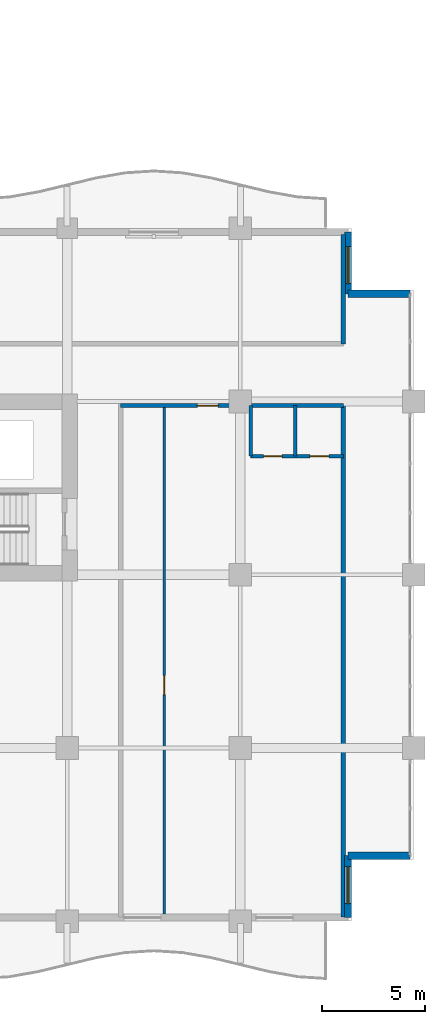
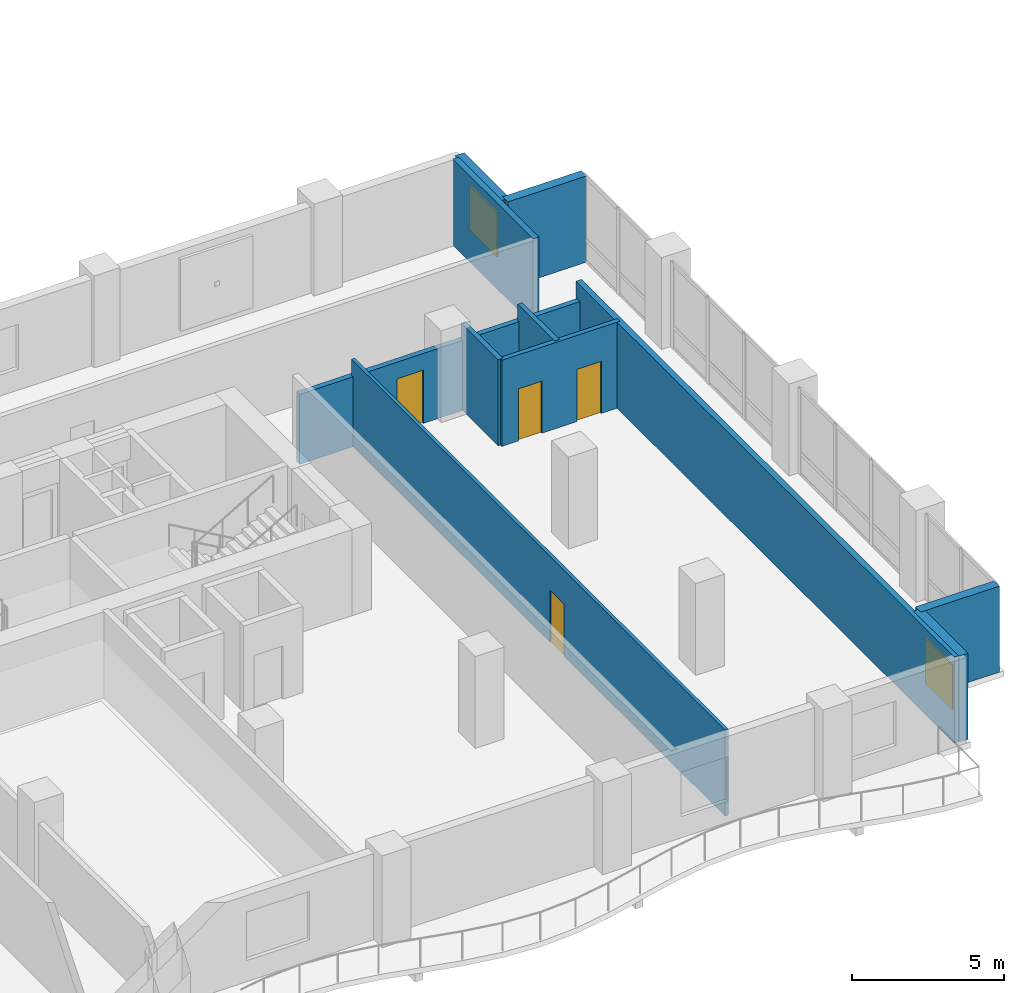
# One storey, part 15 of 22: 11 walls, 4 doors, 2 windows, 6 openings.
"""IFC4 building model written with IfcOpenShell, lengths in metres."""

from ifc_helpers import new_model, si_unit, direction, frame, frame_2d, origin, place, context, subcontext, project, spatial, rectangle, extrude, material, layer, layer_set, type_object, element, fill, save


model = new_model("IFC4")

# Units and contexts
model_context = context("Model", 3, precision=1e-05, world=origin(), true_north=direction((0.0, 1.0)))
body_context = subcontext(model_context, "Body", "Model", "MODEL_VIEW")
ifc_project = project(units=[si_unit("LENGTHUNIT", "METRE"), si_unit("AREAUNIT", "SQUARE_METRE"), si_unit("VOLUMEUNIT", "CUBIC_METRE"), si_unit("PLANEANGLEUNIT", "RADIAN"), si_unit("MASSUNIT", "GRAM", prefix="KILO")], contexts=[model_context])

# Site, building, storey
site_placement = place(None, origin())
site = spatial("IfcSite", under=ifc_project, at=site_placement, CompositionType="ELEMENT")
building_placement = place(site_placement, origin())
building = spatial("IfcBuilding", under=site, at=building_placement, Name="Koriwani Terraces Tower", CompositionType="ELEMENT")
storey_placement = place(building_placement, frame((0.0, 0.0, 182.800048828125)))
storey = spatial("IfcBuildingStorey", under=building, at=storey_placement, Name="L44", CompositionType="ELEMENT", Elevation=182.800048828125)

# Wall, opening, door
ifc_material_1 = material(Name="Autoclaved Cellular Concrete Blockwork", Category="masonry")
ifc_layer_1 = layer(ifc_material_1, 0.199951171875, Name="Autoclaved Cellular Concrete Blockwork")
ifc_layer_set_1 = layer_set([ifc_layer_1], Name="Autoclaved Cellular Concrete Blockwork")
wall_type_1 = type_object("IfcWallType", Name="WALL_CORRIDOR_200", PredefinedType="PARTITIONING", material=ifc_layer_set_1)
wall_1_placement = place(storey_placement, frame((61.39990234375, 25.0, 0.0), z_axis=(0.0, 0.0, 1.0), x_axis=(1.0, 0.0, 0.0)))
wall_1 = element("IfcWall", 1, at=wall_1_placement, inside=storey, type_object=wall_type_1, Name="L44 Interior Wall WRCOR-L44-SE-0", PredefinedType="PARTITIONING", context=body_context, shape_type="SweptSolid", body=[
    extrude(rectangle(XDim=10.800048828125, YDim=0.199951171875, at=frame_2d((5.39990234375, 0.0))), origin(), (0.0, 0.0, 1.0), 2.820068359375),
])
opening_1_placement = place(wall_1_placement, frame((3.719970703125, 0.0, 0.0)))
opening_1 = element("IfcOpeningElement", 2, at=opening_1_placement, cuts=wall_1, Name="Opening D-05", PredefinedType="OPENING", context=body_context, shape_type="SweptSolid", body=[
    extrude(rectangle(XDim=1.0, YDim=2.14990234375, at=frame_2d((0.5, 1.074951171875))), frame((0.0, 0.10986328125, 0.0), z_axis=(0.0, -1.0, 0.0), x_axis=(1.0, 0.0, 0.0)), (0.0, 0.0, 1.0), 0.219970703125),
])
ifc_material_2 = material(Name="Architectural Oak Fire Door", Category="wood")
door_type_1 = type_object("IfcDoorType", Name="DOOR_SUITE_ENTRY_1000X2150", OperationType="NOTDEFINED", PredefinedType="DOOR", material=ifc_material_2)
door_1_placement = place(opening_1_placement, origin())
door_1 = element("IfcDoor", 3, at=door_1_placement, inside=storey, type_object=door_type_1, Name="Apartment 44SE1 Entrance Door", OperationType="SINGLE_SWING_LEFT", OverallHeight=2.14990234375, OverallWidth=1.0, PredefinedType="DOOR", context=body_context, shape_type="SweptSolid", body=[
    extrude(rectangle(XDim=1.0, YDim=2.14990234375, at=frame_2d((0.5, 1.074951171875))), frame((0.0, 0.02490234375, 0.0), z_axis=(0.0, -1.0, 0.0), x_axis=(1.0, 0.0, 0.0)), (0.0, 0.0, 1.0), 0.050048828125),
])
fill(opening_1, door_1)

# Walls
ifc_layer_2 = layer(ifc_material_1, 0.219970703125, Name="Autoclaved Cellular Concrete Blockwork")
ifc_layer_set_2 = layer_set([ifc_layer_2], Name="Autoclaved Cellular Concrete Blockwork")
wall_type_2 = type_object("IfcWallType", Name="WALL_DEMISING_220", PredefinedType="PARTITIONING", material=ifc_layer_set_2)
wall_2_placement = place(storey_placement, frame((72.199951171875, 0.199951171875, 0.0), z_axis=(0.0, 0.0, 1.0), x_axis=(0.0, 1.0, 0.0)))
element("IfcWall", 4, at=wall_2_placement, inside=storey, type_object=wall_type_2, Name="L44 Interior Wall WRDEME-L44-SE", PredefinedType="PARTITIONING", context=body_context, shape_type="SweptSolid", body=[
    extrude(rectangle(XDim=24.97998046875, YDim=0.219970703125, at=frame_2d((12.489990234375, 0.0))), origin(), (0.0, 0.0, 1.0), 3.469970703125),
])
wall_3_placement = place(storey_placement, frame((72.199951171875, 28.0, 0.0), z_axis=(0.0, 0.0, 1.0), x_axis=(0.0, 1.0, 0.0)))
element("IfcWall", 5, at=wall_3_placement, inside=storey, type_object=wall_type_2, Name="L44 Interior Wall WSEC-E-L44", PredefinedType="PARTITIONING", context=body_context, shape_type="SweptSolid", body=[
    extrude(rectangle(XDim=5.300048828125, YDim=0.219970703125, at=frame_2d((2.64990234375, 0.0))), origin(), (0.0, 0.0, 1.0), 3.469970703125),
])

# Wall, opening, window
ifc_material_3 = material(Name="Concrete C50/60", Category="concrete")
ifc_layer_3 = layer(ifc_material_3, 0.35009765625, Name="Concrete C50/60")
ifc_layer_set_3 = layer_set([ifc_layer_3], Name="Concrete C50/60")
wall_type_3 = type_object("IfcWallType", Name="WALL_EXT_BRUTALIST_350", PredefinedType="STANDARD", material=ifc_layer_set_3)
wall_4_placement = place(storey_placement, frame((72.425048828125, 33.425048828125, 0.0), z_axis=(0.0, 0.0, 1.0), x_axis=(0.0, -1.0, 0.0)))
wall_4 = element("IfcWall", 6, at=wall_4_placement, inside=storey, type_object=wall_type_3, Name="L44 Fair-Faced Brutalist Exterior Wall (N10)", PredefinedType="STANDARD", context=body_context, shape_type="SweptSolid", body=[
    extrude(rectangle(XDim=3.0, YDim=0.35009765625, at=frame_2d((1.5, 0.0))), origin(), (0.0, 0.0, 1.0), 3.469970703125),
])
opening_2_placement = place(wall_4_placement, frame((0.71240234375, 0.0, 0.85009765625)))
opening_2 = element("IfcOpeningElement", 7, at=opening_2_placement, cuts=wall_4, Name="Opening W-04", PredefinedType="OPENING", context=body_context, shape_type="SweptSolid", body=[
    extrude(rectangle(XDim=1.800048828125, YDim=1.800048828125, at=frame_2d((0.89990234375, 0.89990234375))), frame((0.0, 0.18505859375, 0.0), z_axis=(0.0, -1.0, 0.0), x_axis=(1.0, 0.0, 0.0)), (0.0, 0.0, 1.0), 0.3701171875),
])
ifc_material_4 = material(Name="Tempered Laminated Low-E Glass", Category="glass")
window_type = type_object("IfcWindowType", Name="WIN_RES_BED_1800X1800", PartitioningType="DOUBLE_PANEL_VERTICAL", PredefinedType="WINDOW", material=ifc_material_4)
window_1_placement = place(opening_2_placement, origin())
window_1 = element("IfcWindow", 8, at=window_1_placement, inside=storey, type_object=window_type, Name="L44 Exterior Window (N10-R63)", OverallHeight=1.800048828125, OverallWidth=1.800048828125, PartitioningType="SINGLE_PANEL", PredefinedType="WINDOW", context=body_context, shape_type="SweptSolid", body=[
    extrude(rectangle(XDim=1.800048828125, YDim=1.800048828125, at=frame_2d((0.89990234375, 0.89990234375))), frame((0.0, 0.030029296875, 0.0), z_axis=(0.0, -1.0, 0.0), x_axis=(1.0, 0.0, 0.0)), (0.0, 0.0, 1.0), 0.06005859375),
])
fill(opening_2, window_1)

# Walls
for number, where, z_axis, x_axis, name in (
    (9, (72.425048828125, 30.425048828125, 0.0), (0.0, 0.0, 1.0), (1.0, 0.0, 0.0), "L44 Fair-Faced Brutalist Exterior Wall (N11)"),
    (10, (75.425048828125, 3.175048828125, 0.0), (0.0, 0.0, 1.0), (-1.0, 0.0, 0.0), "L44 Fair-Faced Brutalist Exterior Wall (N13)"),
):
    element("IfcWall", number, at=place(storey_placement, frame(where, z_axis=z_axis, x_axis=x_axis)), inside=storey, type_object=wall_type_3, Name=name, PredefinedType="STANDARD", context=body_context, shape_type="SweptSolid", body=[
        extrude(rectangle(XDim=3.0, YDim=0.35009765625, at=frame_2d((1.5, 0.0))), origin(), (0.0, 0.0, 1.0), 3.469970703125),
    ])

# Wall, opening, window
wall_5_placement = place(storey_placement, frame((72.425048828125, 3.175048828125, 0.0), z_axis=(0.0, 0.0, 1.0), x_axis=(0.0, -1.0, 0.0)))
wall_5 = element("IfcWall", 11, at=wall_5_placement, inside=storey, type_object=wall_type_3, Name="L44 Fair-Faced Brutalist Exterior Wall (N14)", PredefinedType="STANDARD", context=body_context, shape_type="SweptSolid", body=[
    extrude(rectangle(XDim=3.0, YDim=0.35009765625, at=frame_2d((1.5, 0.0))), origin(), (0.0, 0.0, 1.0), 3.469970703125),
])
opening_3_placement = place(wall_5_placement, frame((0.5224609375, 0.0, 0.85009765625)))
opening_3 = element("IfcOpeningElement", 12, at=opening_3_placement, cuts=wall_5, Name="Opening W-04", PredefinedType="OPENING", context=body_context, shape_type="SweptSolid", body=[
    extrude(rectangle(XDim=1.800048828125, YDim=1.800048828125, at=frame_2d((0.89990234375, 0.89990234375))), frame((0.0, 0.18505859375, 0.0), z_axis=(0.0, -1.0, 0.0), x_axis=(1.0, 0.0, 0.0)), (0.0, 0.0, 1.0), 0.3701171875),
])
window_2_placement = place(opening_3_placement, origin())
window_2 = element("IfcWindow", 13, at=window_2_placement, inside=storey, type_object=window_type, Name="L44 Exterior Window (N14-R62)", OverallHeight=1.800048828125, OverallWidth=1.800048828125, PartitioningType="SINGLE_PANEL", PredefinedType="WINDOW", context=body_context, shape_type="SweptSolid", body=[
    extrude(rectangle(XDim=1.800048828125, YDim=1.800048828125, at=frame_2d((0.89990234375, 0.89990234375))), frame((0.0, 0.030029296875, 0.0), z_axis=(0.0, -1.0, 0.0), x_axis=(1.0, 0.0, 0.0)), (0.0, 0.0, 1.0), 0.06005859375),
])
fill(opening_3, window_2)

# Wall, opening, door
ifc_material_5 = material(Name="Fire-Rated Acoustic Gypsum Partition", Category="masonry")
ifc_layer_4 = layer(ifc_material_5, 0.125, Name="Fire-Rated Acoustic Gypsum Partition")
ifc_layer_set_4 = layer_set([ifc_layer_4], Name="Fire-Rated Acoustic Gypsum Partition")
wall_type_4 = type_object("IfcWallType", Name="WALL_INT_125", PredefinedType="PARTITIONING", material=ifc_layer_set_4)
wall_6_placement = place(storey_placement, frame((63.5, 0.35009765625, 0.0), z_axis=(0.0, 0.0, 1.0), x_axis=(0.0, 1.0, 0.0)))
wall_6 = element("IfcWall", 14, at=wall_6_placement, inside=storey, type_object=wall_type_4, Name="L44 Interior Wall WRBED1-L44-SE-0", PredefinedType="PARTITIONING", context=body_context, shape_type="SweptSolid", body=[
    extrude(rectangle(XDim=24.64990234375, YDim=0.125, at=frame_2d((12.324951171875, 0.0))), origin(), (0.0, 0.0, 1.0), 3.469970703125),
])
opening_4_placement = place(wall_6_placement, frame((10.639892578125, 0.0, 0.0)))
opening_4 = element("IfcOpeningElement", 15, at=opening_4_placement, cuts=wall_6, Name="Opening D-06", PredefinedType="OPENING", context=body_context, shape_type="SweptSolid", body=[
    extrude(rectangle(XDim=0.919921875, YDim=2.10009765625, at=frame_2d((0.4599609375, 1.050048828125))), frame((0.0, 0.072509765625, 0.0), z_axis=(0.0, -1.0, 0.0), x_axis=(1.0, 0.0, 0.0)), (0.0, 0.0, 1.0), 0.14501953125),
])
door_type_2 = type_object("IfcDoorType", Name="DOOR_ROOM_INT_920X2100", OperationType="NOTDEFINED", PredefinedType="DOOR", material=ifc_material_2)
door_2_placement = place(opening_4_placement, origin())
door_2 = element("IfcDoor", 16, at=door_2_placement, inside=storey, type_object=door_type_2, Name="Apartment 44SE1 Master Bedroom Door", OperationType="SINGLE_SWING_RIGHT", OverallHeight=2.10009765625, OverallWidth=0.919921875, PredefinedType="DOOR", context=body_context, shape_type="SweptSolid", body=[
    extrude(rectangle(XDim=0.919921875, YDim=2.10009765625, at=frame_2d((0.4599609375, 1.050048828125))), frame((0.0, 0.02490234375, 0.0), z_axis=(0.0, -1.0, 0.0), x_axis=(1.0, 0.0, 0.0)), (0.0, 0.0, 1.0), 0.050048828125),
])
fill(opening_4, door_2)

# Wall, openings, doors
ifc_layer_5 = layer(ifc_material_5, 0.179931640625, Name="Fire-Rated Acoustic Gypsum Partition")
ifc_layer_set_5 = layer_set([ifc_layer_5], Name="Fire-Rated Acoustic Gypsum Partition")
wall_type_5 = type_object("IfcWallType", Name="WALL_PLUMBING_180", PredefinedType="PLUMBINGWALL", material=ifc_layer_set_5)
wall_7_placement = place(storey_placement, frame((67.699951171875, 22.550048828125, 0.0), z_axis=(0.0, 0.0, 1.0), x_axis=(1.0, 0.0, 0.0)))
wall_7 = element("IfcWall", 17, at=wall_7_placement, inside=storey, type_object=wall_type_5, Name="L44 Interior Wall WRSVC-L44-SE-0", PredefinedType="PLUMBINGWALL", context=body_context, shape_type="SweptSolid", body=[
    extrude(rectangle(XDim=4.5, YDim=0.179931640625, at=frame_2d((2.25, 0.0))), origin(), (0.0, 0.0, 1.0), 3.469970703125),
])
opening_5_placement = place(wall_7_placement, frame((0.6298828125, 0.0, 0.0)))
opening_5 = element("IfcOpeningElement", 18, at=opening_5_placement, cuts=wall_7, Name="Opening D-07", PredefinedType="OPENING", context=body_context, shape_type="SweptSolid", body=[
    extrude(rectangle(XDim=0.89990234375, YDim=2.10009765625, at=frame_2d((0.449951171875, 1.050048828125))), frame((0.0, 0.10009765625, 0.0), z_axis=(0.0, -1.0, 0.0), x_axis=(1.0, 0.0, 0.0)), (0.0, 0.0, 1.0), 0.199951171875),
])
opening_6_placement = place(wall_7_placement, frame((2.8701171875, 0.0, 0.0)))
opening_6 = element("IfcOpeningElement", 19, at=opening_6_placement, cuts=wall_7, Name="Opening D-06", PredefinedType="OPENING", context=body_context, shape_type="SweptSolid", body=[
    extrude(rectangle(XDim=0.919921875, YDim=2.10009765625, at=frame_2d((0.4599609375, 1.050048828125))), frame((0.0, 0.10009765625, 0.0), z_axis=(0.0, -1.0, 0.0), x_axis=(1.0, 0.0, 0.0)), (0.0, 0.0, 1.0), 0.199951171875),
])
door_type_3 = type_object("IfcDoorType", Name="DOOR_BATH_INT_900X2100", OperationType="NOTDEFINED", PredefinedType="DOOR", material=ifc_material_2)
door_3_placement = place(opening_5_placement, origin())
door_3 = element("IfcDoor", 20, at=door_3_placement, inside=storey, type_object=door_type_3, Name="Apartment 44SE1 Bathroom Door", OperationType="SINGLE_SWING_RIGHT", OverallHeight=2.10009765625, OverallWidth=0.89990234375, PredefinedType="DOOR", context=body_context, shape_type="SweptSolid", body=[
    extrude(rectangle(XDim=0.89990234375, YDim=2.10009765625, at=frame_2d((0.449951171875, 1.050048828125))), frame((0.0, 0.02490234375, 0.0), z_axis=(0.0, -1.0, 0.0), x_axis=(1.0, 0.0, 0.0)), (0.0, 0.0, 1.0), 0.050048828125),
])
fill(opening_5, door_3)
door_4_placement = place(opening_6_placement, origin())
door_4 = element("IfcDoor", 21, at=door_4_placement, inside=storey, type_object=door_type_2, Name="Apartment 44SE1 Kitchen Door", OperationType="SINGLE_SWING_LEFT", OverallHeight=2.10009765625, OverallWidth=0.919921875, PredefinedType="DOOR", context=body_context, shape_type="SweptSolid", body=[
    extrude(rectangle(XDim=0.919921875, YDim=2.10009765625, at=frame_2d((0.4599609375, 1.050048828125))), frame((0.0, 0.02490234375, 0.0), z_axis=(0.0, -1.0, 0.0), x_axis=(1.0, 0.0, 0.0)), (0.0, 0.0, 1.0), 0.050048828125),
])
fill(opening_6, door_4)

# Walls
for number, where, z_axis, x_axis, name in (
    (22, (67.699951171875, 22.550048828125, 0.0), (0.0, 0.0, 1.0), (0.0, 1.0, 0.0), "L44 Interior Wall WRSVCS-L44-SE-0"),
    (23, (69.860107421875, 22.550048828125, 0.0), (0.0, 0.0, 1.0), (0.0, 1.0, 0.0), "L44 Interior Wall WRSVCM-L44-SE-0"),
):
    element("IfcWall", number, at=place(storey_placement, frame(where, z_axis=z_axis, x_axis=x_axis)), inside=storey, type_object=wall_type_5, Name=name, PredefinedType="PLUMBINGWALL", context=body_context, shape_type="SweptSolid", body=[
        extrude(rectangle(XDim=2.449951171875, YDim=0.179931640625, at=frame_2d((1.22509765625, 0.0))), origin(), (0.0, 0.0, 1.0), 3.469970703125),
    ])

save(model, "model.ifc")
